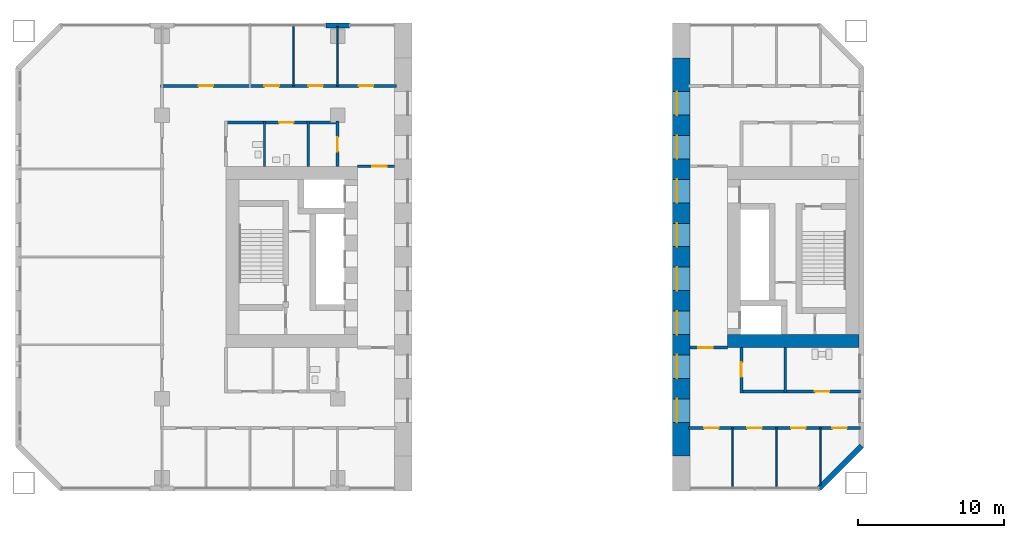
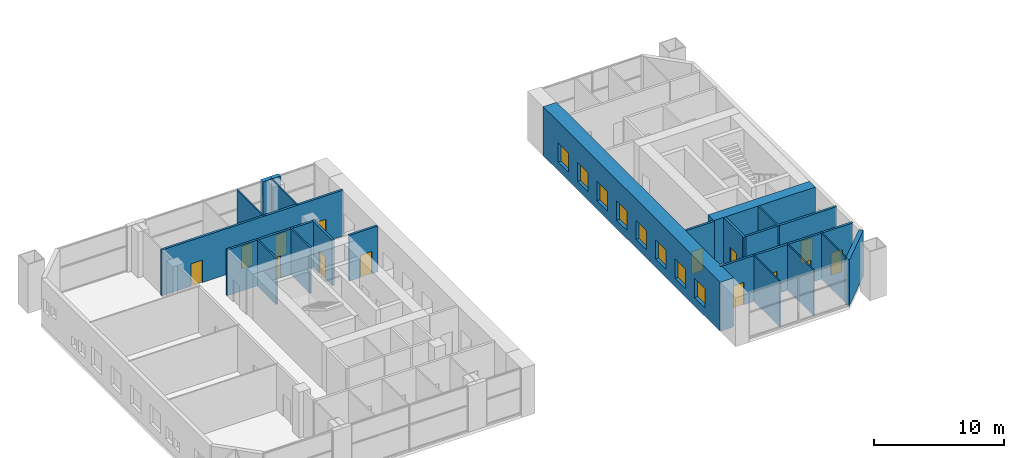
# One storey, part 12 of 21: 20 walls, 14 doors, 8 windows, 22 openings.
"""IFC4 building model written with IfcOpenShell, lengths in metres."""

import ifcopenshell
import ifcopenshell.guid

model = None  # the IFC model being written
_history = None  # IfcOwnerHistory: only IFC2X3 demands one
_inside = {}  # id of a spatial element -> (the spatial element, [elements in it])
_under = {}  # id of a project, library or spatial element -> (it, [spatial elements below it])
_declared = {}  # id of a project -> (the project, [libraries it declares])
_typed = {}  # id of a type object -> (the type object, [elements of that type])
_made_of = {}  # id of a material, layer set ... -> (it, [elements and type objects made of it])


def new_model(schema):
    """Start an empty IFC model of exactly this schema.

    Asked for "IFC4X3", IfcOpenShell would pick the latest addendum, in which some entities
    have other attributes; the version numbers below select the first issue.
    IFC2X3 requires an IfcOwnerHistory on every rooted entity: one is made here for all.
    """
    global model, _history
    if schema == "IFC4X3":
        model = ifcopenshell.file(schema_version=(4, 3, 0, 0))
    else:
        model = ifcopenshell.file(schema=schema)
    _inside.clear()
    _under.clear()
    _declared.clear()
    _typed.clear()
    _made_of.clear()
    _history = None
    if model.schema == "IFC2X3":
        org = make("IfcOrganization", Name="unknown")
        user = make(
            "IfcPersonAndOrganization",
            ThePerson=make("IfcPerson", FamilyName="unknown"),
            TheOrganization=org,
        )
        app = make(
            "IfcApplication",
            ApplicationDeveloper=org,
            Version="unknown",
            ApplicationFullName="unknown",
            ApplicationIdentifier="unknown",
        )
        _history = make(
            "IfcOwnerHistory",
            OwningUser=user,
            OwningApplication=app,
            ChangeAction="ADDED",
            CreationDate=0,
        )
    return model


def make(cls, **values):
    """One entity of the class cls with the attributes given. An attribute that is None is left unset."""
    return model.create_entity(
        cls, **{name: value for name, value in values.items() if value is not None}
    )


def rooted(cls, **values):
    """An entity with a GlobalId (a new one), such as an element, a storey or a relation."""
    return make(cls, GlobalId=ifcopenshell.guid.new(), OwnerHistory=_history, **values)


def si_unit(unit_type, name, prefix=None):
    """IfcSIUnit, for example si_unit("LENGTHUNIT", "METRE", prefix="MILLI")."""
    return make("IfcSIUnit", UnitType=unit_type, Prefix=prefix, Name=name)


def assignment(units):
    """IfcUnitAssignment: the units of a project."""
    return None if units is None else make("IfcUnitAssignment", Units=units)


def point(xyz):
    """IfcCartesianPoint."""
    return None if xyz is None else make("IfcCartesianPoint", Coordinates=xyz)


def direction(xyz):
    """IfcDirection."""
    return None if xyz is None else make("IfcDirection", DirectionRatios=xyz)


def frame(location, z_axis=None, x_axis=None):
    """IfcAxis2Placement3D, a coordinate frame: its origin and axes. An axis left out is left unset."""
    return make(
        "IfcAxis2Placement3D",
        Location=point(location),
        Axis=direction(z_axis),
        RefDirection=direction(x_axis),
    )


def frame_2d(location, x_axis=None):
    """IfcAxis2Placement2D, a coordinate frame in the plane: its origin and x axis."""
    return make(
        "IfcAxis2Placement2D", Location=point(location), RefDirection=direction(x_axis)
    )


def origin():
    """The frame at (0, 0, 0) with its axes left unset."""
    return frame((0.0, 0.0, 0.0))


def place(relative_to, where):
    """IfcLocalPlacement: puts the frame where relative to a parent placement (None: the world)."""
    return make(
        "IfcLocalPlacement", PlacementRelTo=relative_to, RelativePlacement=where
    )


def context(
    kind, dimensions, precision=None, world=None, true_north=None, identifier=None
):
    """IfcGeometricRepresentationContext, for example the 3D "Model" context."""
    return make(
        "IfcGeometricRepresentationContext",
        ContextIdentifier=identifier,
        ContextType=kind,
        CoordinateSpaceDimension=dimensions,
        Precision=precision,
        WorldCoordinateSystem=world,
        TrueNorth=true_north,
    )


def subcontext(parent, identifier, kind, view, scale=None):
    """IfcGeometricRepresentationSubContext, for example "Body" below "Model"."""
    return make(
        "IfcGeometricRepresentationSubContext",
        ContextIdentifier=identifier,
        ContextType=kind,
        ParentContext=parent,
        TargetScale=scale,
        TargetView=view,
    )


def project(units=None, contexts=None):
    """IfcProject with its units and contexts."""
    return rooted(
        "IfcProject",
        Name="project",
        RepresentationContexts=contexts,
        UnitsInContext=assignment(units),
    )


def spatial(cls, under=None, at=None, **own):
    """A site, building, storey or space (cls), placed at a placement, below another one or the project."""
    s = rooted(cls, ObjectPlacement=at, **own)
    if under is not None:
        _under.setdefault(under.id(), (under, []))[1].append(s)
    return s


def profile(cls, at=None, kind="AREA", **sizes):
    """A parametric profile (cls). Its sizes go by their IFC names, for example OverallWidth=200.0."""
    return make(cls, ProfileType=kind, Position=at, **sizes)


def rectangle(**sizes):
    """IfcRectangleProfileDef."""
    return profile("IfcRectangleProfileDef", **sizes)


def extrude(swept, where, along, depth):
    """IfcExtrudedAreaSolid: the profile swept, set in the frame where, extruded along a direction by depth."""
    return make(
        "IfcExtrudedAreaSolid",
        SweptArea=swept,
        Position=where,
        ExtrudedDirection=direction(along),
        Depth=depth,
    )


def shape(context_of_items, identifier, shape_type, items):
    """IfcShapeRepresentation: the items that make up one representation, for example the "Body"."""
    return make(
        "IfcShapeRepresentation",
        ContextOfItems=context_of_items,
        RepresentationIdentifier=identifier,
        RepresentationType=shape_type,
        Items=items,
    )


def material(Name=None, Category=None):
    """IfcMaterial."""
    return make("IfcMaterial", Name=Name, Category=Category)


def layer(
    of_material, thickness, ventilated=None, Name=None, Category=None, Priority=None
):
    """IfcMaterialLayer: one layer of a wall or slab, of a material (None: an air gap)."""
    return make(
        "IfcMaterialLayer",
        Material=of_material,
        LayerThickness=thickness,
        IsVentilated=ventilated,
        Name=Name,
        Category=Category,
        Priority=Priority,
    )


def layer_set(layers, Name=None):
    """IfcMaterialLayerSet."""
    return make("IfcMaterialLayerSet", MaterialLayers=layers, LayerSetName=Name)


def made_of(thing, what):
    """Note that an element or type object is made of a material, layer set ...; save() writes the relation."""
    if what is not None:
        _made_of.setdefault(what.id(), (what, []))[1].append(thing)
    return thing


def type_object(cls, material=None, **own):
    """A type object (cls), such as IfcWallType, which elements share."""
    return made_of(rooted(cls, **own), material)


def element(
    cls,
    number,
    at=None,
    inside=None,
    cuts=None,
    type_object=None,
    material=None,
    context=None,
    identifier="Body",
    shape_type=None,
    held_by="IfcProductDefinitionShape",
    body=None,
    shapes=None,
    **own,
):
    """One element of the class cls, such as IfcWall. Its Tag is "e" and its number.

    at: its placement. inside: the storey or other place that contains it. cuts: it is an
    opening in that element (IfcRelVoidsElement). A single representation is given by context,
    identifier, shape_type and body (its items); several are given by shapes. held_by: the class
    of the entity that holds the representations. save() writes the other relations.
    """
    e = rooted(cls, Tag="e%d" % number, ObjectPlacement=at, **own)
    if body is not None:
        shapes = [shape(context, identifier, shape_type, body)]
    if shapes is not None:
        e.Representation = make(held_by, Representations=shapes)
    if inside is not None:
        _inside.setdefault(inside.id(), (inside, []))[1].append(e)
    if cuts is not None:
        rooted(
            "IfcRelVoidsElement", RelatingBuildingElement=cuts, RelatedOpeningElement=e
        )
    if type_object is not None:
        _typed.setdefault(type_object.id(), (type_object, []))[1].append(e)
    return made_of(e, material)


def fill(opening, filler):
    """IfcRelFillsElement: the door or window that sits in an opening."""
    return rooted(
        "IfcRelFillsElement",
        RelatingOpeningElement=opening,
        RelatedBuildingElement=filler,
    )


def aggregate(whole, parts):
    """IfcRelAggregates: a whole, such as a stair, and the parts it consists of."""
    return rooted("IfcRelAggregates", RelatingObject=whole, RelatedObjects=parts)


def save(model, path):
    """Write the relations noted so far, then the file.

    IfcRelAggregates (storeys below a building ...), IfcRelContainedInSpatialStructure (elements
    in a storey), IfcRelDefinesByType, IfcRelAssociatesMaterial and IfcRelDeclares: one each for
    every whole, place, type object, material and project.
    """
    for whole, parts in _under.values():
        aggregate(whole, parts)
    for where, things in _inside.values():
        rooted(
            "IfcRelContainedInSpatialStructure",
            RelatedElements=things,
            RelatingStructure=where,
        )
    for kind, things in _typed.values():
        rooted("IfcRelDefinesByType", RelatedObjects=things, RelatingType=kind)
    for what, things in _made_of.values():
        rooted("IfcRelAssociatesMaterial", RelatedObjects=things, RelatingMaterial=what)
    for by, libraries in _declared.values():
        rooted("IfcRelDeclares", RelatingContext=by, RelatedDefinitions=libraries)
    model.write(path)


model = new_model("IFC4")

# Units and contexts
model_context = context("Model", 3, precision=1e-05, world=origin(), true_north=direction((0.0, 1.0)))
body_context = subcontext(model_context, "Body", "Model", "MODEL_VIEW")
ifc_project = project(units=[si_unit("LENGTHUNIT", "METRE"), si_unit("AREAUNIT", "SQUARE_METRE"), si_unit("VOLUMEUNIT", "CUBIC_METRE"), si_unit("PLANEANGLEUNIT", "RADIAN"), si_unit("MASSUNIT", "GRAM", prefix="KILO")], contexts=[model_context])

# Site, building, storey
site_placement = place(None, origin())
site = spatial("IfcSite", under=ifc_project, at=site_placement, CompositionType="ELEMENT")
building_placement = place(site_placement, origin())
building = spatial("IfcBuilding", under=site, at=building_placement, Name="Tuart Gate Housing", CompositionType="ELEMENT")
storey_placement = place(building_placement, frame((0.0, 0.0, 5.5)))
storey = spatial("IfcBuildingStorey", under=building, at=storey_placement, Name="L01", CompositionType="ELEMENT", Elevation=5.5)

# Walls
ifc_material_1 = material(Name="Gypsum board on steel studs", Category="steel")
ifc_layer_1 = layer(ifc_material_1, 0.14990234375)
ifc_layer_set_1 = layer_set([ifc_layer_1], Name="Bathroom wall 150")
wall_type_1 = type_object("IfcWallType", Name="Bathroom wall 150", PredefinedType="PLUMBINGWALL", material=ifc_layer_set_1)
for number, where, z_axis, x_axis, name in (
    (1, (35.0, 76.199951171875, 0.0), (0.0, 0.0, 1.0), (0.0, 1.0, 0.0), "Bathroom wall 150"),
    (2, (38.0, 76.199951171875, 0.0), (0.0, 0.0, 1.0), (0.0, 1.0, 0.0), "Bathroom wall 150"),
    (3, (70.60009765625, 60.699951171875, 0.0), (0.0, 0.0, 1.0), (0.0, 1.0, 0.0), "Bathroom wall 150"),
):
    element("IfcWall", number, at=place(storey_placement, frame(where, z_axis=z_axis, x_axis=x_axis)), inside=storey, type_object=wall_type_1, Name=name, PredefinedType="PLUMBINGWALL", context=body_context, shape_type="SweptSolid", body=[
        extrude(rectangle(XDim=3.10009765625, YDim=0.14990234375, at=frame_2d((1.550048828125, 0.0))), origin(), (0.0, 0.0, 1.0), 4.300048828125),
    ])
ifc_material_2 = material(Name="Brick", Category="masonry")
ifc_layer_2 = layer(ifc_material_2, 0.360107421875)
ifc_layer_set_2 = layer_set([ifc_layer_2], Name="Brick pier and spandrel wall 360")
wall_type_2 = type_object("IfcWallType", Name="Brick pier and spandrel wall 360", PredefinedType="STANDARD", material=ifc_layer_set_2)
wall_1_placement = place(storey_placement, frame((72.92529296875, 54.179931640625, 0.0), z_axis=(0.0, 0.0, 1.0), x_axis=(0.707106781187, 0.707106781187, 0.0)))
element("IfcWall", 4, at=wall_1_placement, inside=storey, type_object=wall_type_2, Name="External wall A-SE L01", PredefinedType="STANDARD", context=body_context, shape_type="SweptSolid", body=[
    extrude(rectangle(XDim=4.09375, YDim=0.360107421875, at=frame_2d((2.046875, 0.0))), origin(), (0.0, 0.0, 1.0), 4.300048828125),
])
wall_2_placement = place(storey_placement, frame((40.800048828125, 85.820068359375, 0.0), z_axis=(0.0, 0.0, 1.0), x_axis=(-1.0, 0.0, 0.0)))
element("IfcWall", 5, at=wall_2_placement, inside=storey, type_object=wall_type_2, Name="External wall A-N L01", PredefinedType="STANDARD", context=body_context, shape_type="SweptSolid", body=[
    extrude(rectangle(XDim=1.60009765625, YDim=0.360107421875, at=frame_2d((0.800048828125, 0.0))), origin(), (0.0, 0.0, 1.0), 4.300048828125),
])
ifc_material_3 = material(Name="Concrete C60", Category="concrete")
ifc_layer_3 = layer(ifc_material_3, 0.89990234375)
ifc_layer_set_3 = layer_set([ifc_layer_3], Name="Core wall 900 C60")
wall_type_3 = type_object("IfcWallType", Name="Core wall 900 C60", PredefinedType="SHEAR", material=ifc_layer_set_3)
wall_3_placement = place(storey_placement, frame((66.639892578125, 64.25, 0.0), z_axis=(0.0, 0.0, 1.0), x_axis=(1.0, 0.0, 0.0)))
element("IfcWall", 6, at=wall_3_placement, inside=storey, type_object=wall_type_3, Name="Core wall AG south", PredefinedType="SHEAR", context=body_context, shape_type="SweptSolid", body=[
    extrude(rectangle(XDim=9.0, YDim=0.89990234375, at=frame_2d((4.5, 0.0))), origin(), (0.0, 0.0, 1.0), 4.300048828125),
])

# Wall, openings, doors
ifc_material_4 = material(Name="Concrete masonry 15 MPa", Category="masonry")
ifc_layer_4 = layer(ifc_material_4, 0.199951171875)
ifc_layer_set_4 = layer_set([ifc_layer_4], Name="Corridor wall masonry 200")
wall_type_4 = type_object("IfcWallType", Name="Corridor wall masonry 200", PredefinedType="PARTITIONING", material=ifc_layer_set_4)
wall_4_placement = place(storey_placement, frame((63.97998046875, 58.300048828125, 0.0), z_axis=(0.0, 0.0, 1.0), x_axis=(1.0, 0.0, 0.0)))
wall_4 = element("IfcWall", 7, at=wall_4_placement, inside=storey, type_object=wall_type_4, Name="Corridor wall masonry 200", PredefinedType="PARTITIONING", context=body_context, shape_type="SweptSolid", body=[
    extrude(rectangle(XDim=11.780029296875, YDim=0.199951171875, at=frame_2d((5.89013671875, 0.0))), origin(), (0.0, 0.0, 1.0), 4.300048828125),
])
opening_1_placement = place(wall_4_placement, frame((1.070068359375, 0.0, 0.0)))
opening_1 = element("IfcOpeningElement", 8, at=opening_1_placement, cuts=wall_4, Name="Opening D3126", PredefinedType="OPENING", context=body_context, shape_type="SweptSolid", body=[
    extrude(rectangle(XDim=1.0, YDim=2.10009765625, at=frame_2d((0.5, 1.050048828125))), frame((0.0, 0.10986328125, 0.0), z_axis=(0.0, -1.0, 0.0), x_axis=(1.0, 0.0, 0.0)), (0.0, 0.0, 1.0), 0.219970703125),
])
opening_2_placement = place(wall_4_placement, frame((4.02001953125, 0.0, 0.0)))
opening_2 = element("IfcOpeningElement", 9, at=opening_2_placement, cuts=wall_4, Name="Opening D3127", PredefinedType="OPENING", context=body_context, shape_type="SweptSolid", body=[
    extrude(rectangle(XDim=1.0, YDim=2.10009765625, at=frame_2d((0.5, 1.050048828125))), frame((0.0, 0.10986328125, 0.0), z_axis=(0.0, -1.0, 0.0), x_axis=(1.0, 0.0, 0.0)), (0.0, 0.0, 1.0), 0.219970703125),
])
opening_3_placement = place(wall_4_placement, frame((7.02001953125, 0.0, 0.0)))
opening_3 = element("IfcOpeningElement", 10, at=opening_3_placement, cuts=wall_4, Name="Opening D3128", PredefinedType="OPENING", context=body_context, shape_type="SweptSolid", body=[
    extrude(rectangle(XDim=1.0, YDim=2.10009765625, at=frame_2d((0.5, 1.050048828125))), frame((0.0, 0.10986328125, 0.0), z_axis=(0.0, -1.0, 0.0), x_axis=(1.0, 0.0, 0.0)), (0.0, 0.0, 1.0), 0.219970703125),
])
opening_4_placement = place(wall_4_placement, frame((9.840087890625, 0.0, 0.0)))
opening_4 = element("IfcOpeningElement", 11, at=opening_4_placement, cuts=wall_4, Name="Opening D3129", PredefinedType="OPENING", context=body_context, shape_type="SweptSolid", body=[
    extrude(rectangle(XDim=1.0, YDim=2.10009765625, at=frame_2d((0.5, 1.050048828125))), frame((0.0, 0.10986328125, 0.0), z_axis=(0.0, -1.0, 0.0), x_axis=(1.0, 0.0, 0.0)), (0.0, 0.0, 1.0), 0.219970703125),
])
ifc_material_5 = material(Name="Timber door leaf in steel frame", Category="steel")
door_type_1 = type_object("IfcDoorType", Name="Fire door 1000 RH", OperationType="SINGLE_SWING_RIGHT", PredefinedType="DOOR", material=ifc_material_5)
door_1_placement = place(opening_1_placement, frame((1.0, 0.0, 0.0), z_axis=(0.0, 0.0, 1.0), x_axis=(-1.0, 0.0, 0.0)))
door_1 = element("IfcDoor", 12, at=door_1_placement, inside=storey, type_object=door_type_1, Name="Fire door 1000", OperationType="SINGLE_SWING_RIGHT", OverallHeight=2.10009765625, OverallWidth=1.0, PredefinedType="DOOR", context=body_context, shape_type="SweptSolid", body=[
    extrude(rectangle(XDim=1.0, YDim=2.10009765625, at=frame_2d((0.5, 1.050048828125))), frame((0.0, 0.025146484375, 0.0), z_axis=(0.0, -1.0, 0.0), x_axis=(1.0, 0.0, 0.0)), (0.0, 0.0, 1.0), 0.050048828125),
])
fill(opening_1, door_1)
door_2_placement = place(opening_2_placement, frame((1.0, 0.0, 0.0), z_axis=(0.0, 0.0, 1.0), x_axis=(-1.0, 0.0, 0.0)))
door_2 = element("IfcDoor", 13, at=door_2_placement, inside=storey, type_object=door_type_1, Name="Fire door 1000", OperationType="SINGLE_SWING_RIGHT", OverallHeight=2.10009765625, OverallWidth=1.0, PredefinedType="DOOR", context=body_context, shape_type="SweptSolid", body=[
    extrude(rectangle(XDim=1.0, YDim=2.10009765625, at=frame_2d((0.5, 1.050048828125))), frame((0.0, 0.025146484375, 0.0), z_axis=(0.0, -1.0, 0.0), x_axis=(1.0, 0.0, 0.0)), (0.0, 0.0, 1.0), 0.050048828125),
])
fill(opening_2, door_2)
door_3_placement = place(opening_3_placement, frame((1.0, 0.0, 0.0), z_axis=(0.0, 0.0, 1.0), x_axis=(-1.0, 0.0, 0.0)))
door_3 = element("IfcDoor", 14, at=door_3_placement, inside=storey, type_object=door_type_1, Name="Fire door 1000", OperationType="SINGLE_SWING_RIGHT", OverallHeight=2.10009765625, OverallWidth=1.0, PredefinedType="DOOR", context=body_context, shape_type="SweptSolid", body=[
    extrude(rectangle(XDim=1.0, YDim=2.10009765625, at=frame_2d((0.5, 1.050048828125))), frame((0.0, 0.025146484375, 0.0), z_axis=(0.0, -1.0, 0.0), x_axis=(1.0, 0.0, 0.0)), (0.0, 0.0, 1.0), 0.050048828125),
])
fill(opening_3, door_3)
door_4_placement = place(opening_4_placement, frame((1.0, 0.0, 0.0), z_axis=(0.0, 0.0, 1.0), x_axis=(-1.0, 0.0, 0.0)))
door_4 = element("IfcDoor", 15, at=door_4_placement, inside=storey, type_object=door_type_1, Name="Fire door 1000", OperationType="SINGLE_SWING_RIGHT", OverallHeight=2.10009765625, OverallWidth=1.0, PredefinedType="DOOR", context=body_context, shape_type="SweptSolid", body=[
    extrude(rectangle(XDim=1.0, YDim=2.10009765625, at=frame_2d((0.5, 1.050048828125))), frame((0.0, 0.025146484375, 0.0), z_axis=(0.0, -1.0, 0.0), x_axis=(1.0, 0.0, 0.0)), (0.0, 0.0, 1.0), 0.050048828125),
])
fill(opening_4, door_4)

# Wall, opening, door
wall_5_placement = place(storey_placement, frame((67.5, 60.800048828125, 0.0), z_axis=(0.0, 0.0, 1.0), x_axis=(1.0, 0.0, 0.0)))
wall_5 = element("IfcWall", 16, at=wall_5_placement, inside=storey, type_object=wall_type_4, Name="Corridor wall masonry 200", PredefinedType="PARTITIONING", context=body_context, shape_type="SweptSolid", body=[
    extrude(rectangle(XDim=8.260009765625, YDim=0.199951171875, at=frame_2d((4.1298828125, 0.0))), origin(), (0.0, 0.0, 1.0), 4.300048828125),
])
opening_5_placement = place(wall_5_placement, frame((5.1201171875, 0.0, 0.0)))
opening_5 = element("IfcOpeningElement", 17, at=opening_5_placement, cuts=wall_5, Name="Opening D3120", PredefinedType="OPENING", context=body_context, shape_type="SweptSolid", body=[
    extrude(rectangle(XDim=1.0, YDim=2.10009765625, at=frame_2d((0.5, 1.050048828125))), frame((0.0, 0.10986328125, 0.0), z_axis=(0.0, -1.0, 0.0), x_axis=(1.0, 0.0, 0.0)), (0.0, 0.0, 1.0), 0.219970703125),
])
ifc_material_6 = material(Name="Timber door leaf in steel frame", Category="steel")
door_type_2 = type_object("IfcDoorType", Name="Fire door 1000", OperationType="SINGLE_SWING_LEFT", PredefinedType="DOOR", material=ifc_material_6)
door_5_placement = place(opening_5_placement, origin())
door_5 = element("IfcDoor", 18, at=door_5_placement, inside=storey, type_object=door_type_2, Name="Fire door 1000", OperationType="SINGLE_SWING_LEFT", OverallHeight=2.10009765625, OverallWidth=1.0, PredefinedType="DOOR", context=body_context, shape_type="SweptSolid", body=[
    extrude(rectangle(XDim=1.0, YDim=2.10009765625, at=frame_2d((0.5, 1.050048828125))), frame((0.0, 0.02490234375, 0.0), z_axis=(0.0, -1.0, 0.0), x_axis=(1.0, 0.0, 0.0)), (0.0, 0.0, 1.0), 0.050048828125),
])
fill(opening_5, door_5)

wall_6_placement = place(storey_placement, frame((32.260009765625, 79.199951171875, 0.0), z_axis=(0.0, 0.0, 1.0), x_axis=(1.0, 0.0, 0.0)))
wall_6 = element("IfcWall", 19, at=wall_6_placement, inside=storey, type_object=wall_type_4, Name="Corridor wall masonry 200", PredefinedType="PARTITIONING", context=body_context, shape_type="SweptSolid", body=[
    extrude(rectangle(XDim=7.840087890625, YDim=0.199951171875, at=frame_2d((3.919921875, 0.0))), origin(), (0.0, 0.0, 1.0), 4.300048828125),
])
opening_6_placement = place(wall_6_placement, frame((3.739990234375, 0.0, 0.0)))
opening_6 = element("IfcOpeningElement", 20, at=opening_6_placement, cuts=wall_6, Name="Opening D3095", PredefinedType="OPENING", context=body_context, shape_type="SweptSolid", body=[
    extrude(rectangle(XDim=1.0, YDim=2.10009765625, at=frame_2d((0.5, 1.050048828125))), frame((0.0, 0.10986328125, 0.0), z_axis=(0.0, -1.0, 0.0), x_axis=(1.0, 0.0, 0.0)), (0.0, 0.0, 1.0), 0.219970703125),
])
door_6_placement = place(opening_6_placement, frame((1.0, 0.0, 0.0), z_axis=(0.0, 0.0, 1.0), x_axis=(-1.0, 0.0, 0.0)))
door_6 = element("IfcDoor", 21, at=door_6_placement, inside=storey, type_object=door_type_1, Name="Fire door 1000", OperationType="SINGLE_SWING_RIGHT", OverallHeight=2.10009765625, OverallWidth=1.0, PredefinedType="DOOR", context=body_context, shape_type="SweptSolid", body=[
    extrude(rectangle(XDim=1.0, YDim=2.10009765625, at=frame_2d((0.5, 1.050048828125))), frame((0.0, 0.025146484375, 0.0), z_axis=(0.0, -1.0, 0.0), x_axis=(1.0, 0.0, 0.0)), (0.0, 0.0, 1.0), 0.050048828125),
])
fill(opening_6, door_6)

# Wall, openings, doors
wall_7_placement = place(storey_placement, frame((27.89990234375, 81.699951171875, 0.0), z_axis=(0.0, 0.0, 1.0), x_axis=(1.0, 0.0, 0.0)))
wall_7 = element("IfcWall", 22, at=wall_7_placement, inside=storey, type_object=wall_type_4, Name="Corridor wall masonry 200", PredefinedType="PARTITIONING", context=body_context, shape_type="SweptSolid", body=[
    extrude(rectangle(XDim=16.1201171875, YDim=0.199951171875, at=frame_2d((8.06005859375, 0.0))), origin(), (0.0, 0.0, 1.0), 4.300048828125),
])
opening_7_placement = place(wall_7_placement, frame((2.60009765625, 0.0, 0.0)))
opening_7 = element("IfcOpeningElement", 23, at=opening_7_placement, cuts=wall_7, Name="Opening D3087", PredefinedType="OPENING", context=body_context, shape_type="SweptSolid", body=[
    extrude(rectangle(XDim=1.0, YDim=2.10009765625, at=frame_2d((0.5, 1.050048828125))), frame((0.0, 0.10986328125, 0.0), z_axis=(0.0, -1.0, 0.0), x_axis=(1.0, 0.0, 0.0)), (0.0, 0.0, 1.0), 0.219970703125),
])
opening_8_placement = place(wall_7_placement, frame((7.10009765625, 0.0, 0.0)))
opening_8 = element("IfcOpeningElement", 24, at=opening_8_placement, cuts=wall_7, Name="Opening D3088", PredefinedType="OPENING", context=body_context, shape_type="SweptSolid", body=[
    extrude(rectangle(XDim=1.0, YDim=2.10009765625, at=frame_2d((0.5, 1.050048828125))), frame((0.0, 0.10986328125, 0.0), z_axis=(0.0, -1.0, 0.0), x_axis=(1.0, 0.0, 0.0)), (0.0, 0.0, 1.0), 0.219970703125),
])
opening_9_placement = place(wall_7_placement, frame((10.10009765625, 0.0, 0.0)))
opening_9 = element("IfcOpeningElement", 25, at=opening_9_placement, cuts=wall_7, Name="Opening D3089", PredefinedType="OPENING", context=body_context, shape_type="SweptSolid", body=[
    extrude(rectangle(XDim=1.0, YDim=2.10009765625, at=frame_2d((0.5, 1.050048828125))), frame((0.0, 0.10986328125, 0.0), z_axis=(0.0, -1.0, 0.0), x_axis=(1.0, 0.0, 0.0)), (0.0, 0.0, 1.0), 0.219970703125),
])
opening_10_placement = place(wall_7_placement, frame((13.550048828125, 0.0, 0.0)))
opening_10 = element("IfcOpeningElement", 26, at=opening_10_placement, cuts=wall_7, Name="Opening D3090", PredefinedType="OPENING", context=body_context, shape_type="SweptSolid", body=[
    extrude(rectangle(XDim=1.0, YDim=2.10009765625, at=frame_2d((0.5, 1.050048828125))), frame((0.0, 0.10986328125, 0.0), z_axis=(0.0, -1.0, 0.0), x_axis=(1.0, 0.0, 0.0)), (0.0, 0.0, 1.0), 0.219970703125),
])
door_7_placement = place(opening_7_placement, origin())
door_7 = element("IfcDoor", 27, at=door_7_placement, inside=storey, type_object=door_type_2, Name="Fire door 1000", OperationType="SINGLE_SWING_LEFT", OverallHeight=2.10009765625, OverallWidth=1.0, PredefinedType="DOOR", context=body_context, shape_type="SweptSolid", body=[
    extrude(rectangle(XDim=1.0, YDim=2.10009765625, at=frame_2d((0.5, 1.050048828125))), frame((0.0, 0.02490234375, 0.0), z_axis=(0.0, -1.0, 0.0), x_axis=(1.0, 0.0, 0.0)), (0.0, 0.0, 1.0), 0.050048828125),
])
fill(opening_7, door_7)
door_8_placement = place(opening_8_placement, origin())
door_8 = element("IfcDoor", 28, at=door_8_placement, inside=storey, type_object=door_type_2, Name="Fire door 1000", OperationType="SINGLE_SWING_LEFT", OverallHeight=2.10009765625, OverallWidth=1.0, PredefinedType="DOOR", context=body_context, shape_type="SweptSolid", body=[
    extrude(rectangle(XDim=1.0, YDim=2.10009765625, at=frame_2d((0.5, 1.050048828125))), frame((0.0, 0.02490234375, 0.0), z_axis=(0.0, -1.0, 0.0), x_axis=(1.0, 0.0, 0.0)), (0.0, 0.0, 1.0), 0.050048828125),
])
fill(opening_8, door_8)
door_9_placement = place(opening_9_placement, origin())
door_9 = element("IfcDoor", 29, at=door_9_placement, inside=storey, type_object=door_type_2, Name="Fire door 1000", OperationType="SINGLE_SWING_LEFT", OverallHeight=2.10009765625, OverallWidth=1.0, PredefinedType="DOOR", context=body_context, shape_type="SweptSolid", body=[
    extrude(rectangle(XDim=1.0, YDim=2.10009765625, at=frame_2d((0.5, 1.050048828125))), frame((0.0, 0.02490234375, 0.0), z_axis=(0.0, -1.0, 0.0), x_axis=(1.0, 0.0, 0.0)), (0.0, 0.0, 1.0), 0.050048828125),
])
fill(opening_9, door_9)
door_10_placement = place(opening_10_placement, origin())
door_10 = element("IfcDoor", 30, at=door_10_placement, inside=storey, type_object=door_type_2, Name="Fire door 1000", OperationType="SINGLE_SWING_LEFT", OverallHeight=2.10009765625, OverallWidth=1.0, PredefinedType="DOOR", context=body_context, shape_type="SweptSolid", body=[
    extrude(rectangle(XDim=1.0, YDim=2.10009765625, at=frame_2d((0.5, 1.050048828125))), frame((0.0, 0.02490234375, 0.0), z_axis=(0.0, -1.0, 0.0), x_axis=(1.0, 0.0, 0.0)), (0.0, 0.0, 1.0), 0.050048828125),
])
fill(opening_10, door_10)

# Wall, opening, door
wall_8_placement = place(storey_placement, frame((40.0, 76.199951171875, 0.0), z_axis=(0.0, 0.0, 1.0), x_axis=(0.0, 1.0, 0.0)))
wall_8 = element("IfcWall", 31, at=wall_8_placement, inside=storey, type_object=wall_type_4, Name="Corridor wall masonry 200", PredefinedType="PARTITIONING", context=body_context, shape_type="SweptSolid", body=[
    extrude(rectangle(XDim=3.10009765625, YDim=0.199951171875, at=frame_2d((1.550048828125, 0.0))), origin(), (0.0, 0.0, 1.0), 4.300048828125),
])
opening_11_placement = place(wall_8_placement, frame((1.0, 0.0, 0.0)))
opening_11 = element("IfcOpeningElement", 32, at=opening_11_placement, cuts=wall_8, Name="Opening D3099", PredefinedType="OPENING", context=body_context, shape_type="SweptSolid", body=[
    extrude(rectangle(XDim=1.0, YDim=2.10009765625, at=frame_2d((0.5, 1.050048828125))), frame((0.0, 0.10986328125, 0.0), z_axis=(0.0, -1.0, 0.0), x_axis=(1.0, 0.0, 0.0)), (0.0, 0.0, 1.0), 0.219970703125),
])
door_11_placement = place(opening_11_placement, origin())
door_11 = element("IfcDoor", 33, at=door_11_placement, inside=storey, type_object=door_type_2, Name="Fire door 1000", OperationType="SINGLE_SWING_LEFT", OverallHeight=2.10009765625, OverallWidth=1.0, PredefinedType="DOOR", context=body_context, shape_type="SweptSolid", body=[
    extrude(rectangle(XDim=1.0, YDim=2.10009765625, at=frame_2d((0.5, 1.050048828125))), frame((0.0, 0.02490234375, 0.0), z_axis=(0.0, -1.0, 0.0), x_axis=(1.0, 0.0, 0.0)), (0.0, 0.0, 1.0), 0.050048828125),
])
fill(opening_11, door_11)

wall_9_placement = place(storey_placement, frame((67.60009765625, 60.699951171875, 0.0), z_axis=(0.0, 0.0, 1.0), x_axis=(0.0, 1.0, 0.0)))
wall_9 = element("IfcWall", 34, at=wall_9_placement, inside=storey, type_object=wall_type_4, Name="Corridor wall masonry 200", PredefinedType="PARTITIONING", context=body_context, shape_type="SweptSolid", body=[
    extrude(rectangle(XDim=3.10009765625, YDim=0.199951171875, at=frame_2d((1.550048828125, 0.0))), origin(), (0.0, 0.0, 1.0), 4.300048828125),
])
opening_12_placement = place(wall_9_placement, frame((1.10009765625, 0.0, 0.0)))
opening_12 = element("IfcOpeningElement", 35, at=opening_12_placement, cuts=wall_9, Name="Opening D3117", PredefinedType="OPENING", context=body_context, shape_type="SweptSolid", body=[
    extrude(rectangle(XDim=1.0, YDim=2.10009765625, at=frame_2d((0.5, 1.050048828125))), frame((0.0, 0.10986328125, 0.0), z_axis=(0.0, -1.0, 0.0), x_axis=(1.0, 0.0, 0.0)), (0.0, 0.0, 1.0), 0.219970703125),
])
door_12_placement = place(opening_12_placement, frame((1.0, 0.0, 0.0), z_axis=(0.0, 0.0, 1.0), x_axis=(-1.0, 0.0, 0.0)))
door_12 = element("IfcDoor", 36, at=door_12_placement, inside=storey, type_object=door_type_1, Name="Fire door 1000", OperationType="SINGLE_SWING_RIGHT", OverallHeight=2.10009765625, OverallWidth=1.0, PredefinedType="DOOR", context=body_context, shape_type="SweptSolid", body=[
    extrude(rectangle(XDim=1.0, YDim=2.10009765625, at=frame_2d((0.5, 1.050048828125))), frame((0.0, 0.025146484375, 0.0), z_axis=(0.0, -1.0, 0.0), x_axis=(1.0, 0.0, 0.0)), (0.0, 0.0, 1.0), 0.050048828125),
])
fill(opening_12, door_12)

ifc_material_7 = material(Name="Concrete masonry 15 MPa", Category="masonry")
ifc_layer_5 = layer(ifc_material_7, 0.199951171875)
ifc_layer_set_5 = layer_set([ifc_layer_5], Name="Enclosure wall masonry 200")
wall_type_5 = type_object("IfcWallType", Name="Enclosure wall masonry 200", PredefinedType="PARTITIONING", material=ifc_layer_set_5)
wall_10_placement = place(storey_placement, frame((64.10009765625, 63.800048828125, 0.0), z_axis=(0.0, 0.0, 1.0), x_axis=(1.0, 0.0, 0.0)))
wall_10 = element("IfcWall", 37, at=wall_10_placement, inside=storey, type_object=wall_type_5, Name="Enclosure wall masonry 200", PredefinedType="PARTITIONING", context=body_context, shape_type="SweptSolid", body=[
    extrude(rectangle(XDim=2.539794921875, YDim=0.199951171875, at=frame_2d((1.27001953125, 0.0))), origin(), (0.0, 0.0, 1.0), 4.300048828125),
])
opening_13_placement = place(wall_10_placement, frame((0.5400390625, 0.0, 0.0)))
opening_13 = element("IfcOpeningElement", 38, at=opening_13_placement, cuts=wall_10, Name="Opening D3115", PredefinedType="OPENING", context=body_context, shape_type="SweptSolid", body=[
    extrude(rectangle(XDim=1.0, YDim=2.10009765625, at=frame_2d((0.5, 1.050048828125))), frame((0.0, 0.10986328125, 0.0), z_axis=(0.0, -1.0, 0.0), x_axis=(1.0, 0.0, 0.0)), (0.0, 0.0, 1.0), 0.219970703125),
])
ifc_material_8 = material(Name="Timber door leaf in steel frame", Category="steel")
door_type_3 = type_object("IfcDoorType", Name="Lobby door 1000", OperationType="SINGLE_SWING_LEFT", PredefinedType="DOOR", material=ifc_material_8)
door_13_placement = place(opening_13_placement, origin())
door_13 = element("IfcDoor", 39, at=door_13_placement, inside=storey, type_object=door_type_3, Name="Lobby door 1000", OperationType="SINGLE_SWING_LEFT", OverallHeight=2.10009765625, OverallWidth=1.0, PredefinedType="DOOR", context=body_context, shape_type="SweptSolid", body=[
    extrude(rectangle(XDim=1.0, YDim=2.10009765625, at=frame_2d((0.5, 1.050048828125))), frame((0.0, 0.02490234375, 0.0), z_axis=(0.0, -1.0, 0.0), x_axis=(1.0, 0.0, 0.0)), (0.0, 0.0, 1.0), 0.050048828125),
])
fill(opening_13, door_13)

wall_11_placement = place(storey_placement, frame((41.360107421875, 76.199951171875, 0.0), z_axis=(0.0, 0.0, 1.0), x_axis=(1.0, 0.0, 0.0)))
wall_11 = element("IfcWall", 40, at=wall_11_placement, inside=storey, type_object=wall_type_5, Name="Enclosure wall masonry 200", PredefinedType="PARTITIONING", context=body_context, shape_type="SweptSolid", body=[
    extrude(rectangle(XDim=2.539794921875, YDim=0.199951171875, at=frame_2d((1.27001953125, 0.0))), origin(), (0.0, 0.0, 1.0), 4.300048828125),
])
opening_14_placement = place(wall_11_placement, frame((1.0, 0.0, 0.0)))
opening_14 = element("IfcOpeningElement", 41, at=opening_14_placement, cuts=wall_11, Name="Opening D3100", PredefinedType="OPENING", context=body_context, shape_type="SweptSolid", body=[
    extrude(rectangle(XDim=1.0, YDim=2.10009765625, at=frame_2d((0.5, 1.050048828125))), frame((0.0, 0.10986328125, 0.0), z_axis=(0.0, -1.0, 0.0), x_axis=(1.0, 0.0, 0.0)), (0.0, 0.0, 1.0), 0.219970703125),
])
ifc_material_9 = material(Name="Timber door leaf in steel frame", Category="steel")
door_type_4 = type_object("IfcDoorType", Name="Lobby door 1000 RH", OperationType="SINGLE_SWING_RIGHT", PredefinedType="DOOR", material=ifc_material_9)
door_14_placement = place(opening_14_placement, origin())
door_14 = element("IfcDoor", 42, at=door_14_placement, inside=storey, type_object=door_type_4, Name="Lobby door 1000", OperationType="SINGLE_SWING_RIGHT", OverallHeight=2.10009765625, OverallWidth=1.0, PredefinedType="DOOR", context=body_context, shape_type="SweptSolid", body=[
    extrude(rectangle(XDim=1.0, YDim=2.10009765625, at=frame_2d((0.5, 1.050048828125))), frame((0.0, 0.02490234375, 0.0), z_axis=(0.0, -1.0, 0.0), x_axis=(1.0, 0.0, 0.0)), (0.0, 0.0, 1.0), 0.050048828125),
])
fill(opening_14, door_14)

# Walls
ifc_material_10 = material(Name="Gypsum board on steel studs", Category="steel")
ifc_layer_6 = layer(ifc_material_10, 0.10009765625)
ifc_layer_set_6 = layer_set([ifc_layer_6], Name="Partition 100")
wall_type_6 = type_object("IfcWallType", Name="Partition 100", PredefinedType="PARTITIONING", material=ifc_layer_set_6)
for number, where, z_axis, x_axis, name in (
    (43, (37.0, 81.60009765625, 0.0), (0.0, 0.0, 1.0), (0.0, 1.0, 0.0), "Partition 100"),
    (44, (40.0, 81.60009765625, 0.0), (0.0, 0.0, 1.0), (0.0, 1.0, 0.0), "Partition 100"),
    (45, (67.0, 54.239990234375, 0.0), (0.0, 0.0, 1.0), (0.0, 1.0, 0.0), "Partition 100"),
    (46, (70.0, 54.239990234375, 0.0), (0.0, 0.0, 1.0), (0.0, 1.0, 0.0), "Partition 100"),
):
    element("IfcWall", number, at=place(storey_placement, frame(where, z_axis=z_axis, x_axis=x_axis)), inside=storey, type_object=wall_type_6, Name=name, PredefinedType="PARTITIONING", context=body_context, shape_type="SweptSolid", body=[
        extrude(rectangle(XDim=4.159912109375, YDim=0.10009765625, at=frame_2d((2.080078125, 0.0))), origin(), (0.0, 0.0, 1.0), 4.300048828125),
    ])
wall_12_placement = place(storey_placement, frame((73.0, 54.388916015625, 0.0), z_axis=(0.0, 0.0, 1.0), x_axis=(0.0, 1.0, 0.0)))
element("IfcWall", 47, at=wall_12_placement, inside=storey, type_object=wall_type_6, Name="Partition 100", PredefinedType="PARTITIONING", context=body_context, shape_type="SweptSolid", body=[
    extrude(rectangle(XDim=4.010986328125, YDim=0.10009765625, at=frame_2d((2.00537109375, 0.0))), origin(), (0.0, 0.0, 1.0), 4.300048828125),
])

# Wall, openings, windows
ifc_material_11 = material(Name="Concrete C60", Category="concrete")
ifc_layer_7 = layer(ifc_material_11, 1.199951171875)
ifc_layer_set_7 = layer_set([ifc_layer_7], Name="RC wall 1200 C60")
wall_type_7 = type_object("IfcWallType", Name="RC wall 1200 C60", PredefinedType="SHEAR", material=ifc_layer_set_7)
wall_13_placement = place(storey_placement, frame((63.5, 56.39990234375, -0.300048828125), z_axis=(0.0, 0.0, 1.0), x_axis=(0.0, 1.0, 0.0)))
wall_13 = element("IfcWall", 48, at=wall_13_placement, inside=storey, type_object=wall_type_7, Name="Pier wall AE L01", PredefinedType="SHEAR", context=body_context, shape_type="SweptSolid", body=[
    extrude(rectangle(XDim=27.2001953125, YDim=1.199951171875, at=frame_2d((13.60009765625, 0.0))), origin(), (0.0, 0.0, 1.0), 4.60009765625),
])
opening_15_placement = place(wall_13_placement, frame((2.300048828125, 0.0, 0.800048828125)))
opening_15 = element("IfcOpeningElement", 49, at=opening_15_placement, cuts=wall_13, Name="Opening W1", PredefinedType="OPENING", context=body_context, shape_type="SweptSolid", body=[
    extrude(rectangle(XDim=1.60009765625, YDim=1.800048828125, at=frame_2d((0.800048828125, 0.89990234375))), frame((0.0, 0.60986328125, 0.0), z_axis=(0.0, -1.0, 0.0), x_axis=(1.0, 0.0, 0.0)), (0.0, 0.0, 1.0), 1.219970703125),
])
opening_16_placement = place(wall_13_placement, frame((5.300048828125, 0.0, 0.800048828125)))
opening_16 = element("IfcOpeningElement", 50, at=opening_16_placement, cuts=wall_13, Name="Opening W1", PredefinedType="OPENING", context=body_context, shape_type="SweptSolid", body=[
    extrude(rectangle(XDim=1.60009765625, YDim=1.800048828125, at=frame_2d((0.800048828125, 0.89990234375))), frame((0.0, 0.60986328125, 0.0), z_axis=(0.0, -1.0, 0.0), x_axis=(1.0, 0.0, 0.0)), (0.0, 0.0, 1.0), 1.219970703125),
])
opening_17_placement = place(wall_13_placement, frame((8.300048828125, 0.0, 0.800048828125)))
opening_17 = element("IfcOpeningElement", 51, at=opening_17_placement, cuts=wall_13, Name="Opening W1", PredefinedType="OPENING", context=body_context, shape_type="SweptSolid", body=[
    extrude(rectangle(XDim=1.60009765625, YDim=1.800048828125, at=frame_2d((0.800048828125, 0.89990234375))), frame((0.0, 0.60986328125, 0.0), z_axis=(0.0, -1.0, 0.0), x_axis=(1.0, 0.0, 0.0)), (0.0, 0.0, 1.0), 1.219970703125),
])
opening_18_placement = place(wall_13_placement, frame((11.300048828125, 0.0, 0.800048828125)))
opening_18 = element("IfcOpeningElement", 52, at=opening_18_placement, cuts=wall_13, Name="Opening W1", PredefinedType="OPENING", context=body_context, shape_type="SweptSolid", body=[
    extrude(rectangle(XDim=1.60009765625, YDim=1.800048828125, at=frame_2d((0.800048828125, 0.89990234375))), frame((0.0, 0.60986328125, 0.0), z_axis=(0.0, -1.0, 0.0), x_axis=(1.0, 0.0, 0.0)), (0.0, 0.0, 1.0), 1.219970703125),
])
opening_19_placement = place(wall_13_placement, frame((14.300048828125, 0.0, 0.800048828125)))
opening_19 = element("IfcOpeningElement", 53, at=opening_19_placement, cuts=wall_13, Name="Opening W1", PredefinedType="OPENING", context=body_context, shape_type="SweptSolid", body=[
    extrude(rectangle(XDim=1.60009765625, YDim=1.800048828125, at=frame_2d((0.800048828125, 0.89990234375))), frame((0.0, 0.60986328125, 0.0), z_axis=(0.0, -1.0, 0.0), x_axis=(1.0, 0.0, 0.0)), (0.0, 0.0, 1.0), 1.219970703125),
])
opening_20_placement = place(wall_13_placement, frame((17.300048828125, 0.0, 0.800048828125)))
opening_20 = element("IfcOpeningElement", 54, at=opening_20_placement, cuts=wall_13, Name="Opening W1", PredefinedType="OPENING", context=body_context, shape_type="SweptSolid", body=[
    extrude(rectangle(XDim=1.60009765625, YDim=1.800048828125, at=frame_2d((0.800048828125, 0.89990234375))), frame((0.0, 0.60986328125, 0.0), z_axis=(0.0, -1.0, 0.0), x_axis=(1.0, 0.0, 0.0)), (0.0, 0.0, 1.0), 1.219970703125),
])
opening_21_placement = place(wall_13_placement, frame((20.300048828125, 0.0, 0.800048828125)))
opening_21 = element("IfcOpeningElement", 55, at=opening_21_placement, cuts=wall_13, Name="Opening W1", PredefinedType="OPENING", context=body_context, shape_type="SweptSolid", body=[
    extrude(rectangle(XDim=1.60009765625, YDim=1.800048828125, at=frame_2d((0.800048828125, 0.89990234375))), frame((0.0, 0.60986328125, 0.0), z_axis=(0.0, -1.0, 0.0), x_axis=(1.0, 0.0, 0.0)), (0.0, 0.0, 1.0), 1.219970703125),
])
opening_22_placement = place(wall_13_placement, frame((23.300048828125, 0.0, 0.800048828125)))
opening_22 = element("IfcOpeningElement", 56, at=opening_22_placement, cuts=wall_13, Name="Opening W1", PredefinedType="OPENING", context=body_context, shape_type="SweptSolid", body=[
    extrude(rectangle(XDim=1.60009765625, YDim=1.800048828125, at=frame_2d((0.800048828125, 0.89990234375))), frame((0.0, 0.60986328125, 0.0), z_axis=(0.0, -1.0, 0.0), x_axis=(1.0, 0.0, 0.0)), (0.0, 0.0, 1.0), 1.219970703125),
])
ifc_material_12 = material(Name="Aluminium frame with clear glass", Category="aluminium")
window_type = type_object("IfcWindowType", Name="Punched window 1600 x 1800", PartitioningType="SINGLE_PANEL", PredefinedType="WINDOW", material=ifc_material_12)
window_1_placement = place(opening_15_placement, origin())
window_1 = element("IfcWindow", 57, at=window_1_placement, inside=storey, type_object=window_type, Name="Window W1", OverallHeight=1.800048828125, OverallWidth=1.60009765625, PartitioningType="SINGLE_PANEL", PredefinedType="WINDOW", context=body_context, shape_type="SweptSolid", body=[
    extrude(rectangle(XDim=1.60009765625, YDim=1.800048828125, at=frame_2d((0.800048828125, 0.89990234375))), frame((0.0, 0.330078125, 0.0), z_axis=(0.0, -1.0, 0.0), x_axis=(1.0, 0.0, 0.0)), (0.0, 0.0, 1.0), 0.06005859375),
])
fill(opening_15, window_1)
window_2_placement = place(opening_16_placement, origin())
window_2 = element("IfcWindow", 58, at=window_2_placement, inside=storey, type_object=window_type, Name="Window W1", OverallHeight=1.800048828125, OverallWidth=1.60009765625, PartitioningType="SINGLE_PANEL", PredefinedType="WINDOW", context=body_context, shape_type="SweptSolid", body=[
    extrude(rectangle(XDim=1.60009765625, YDim=1.800048828125, at=frame_2d((0.800048828125, 0.89990234375))), frame((0.0, 0.330078125, 0.0), z_axis=(0.0, -1.0, 0.0), x_axis=(1.0, 0.0, 0.0)), (0.0, 0.0, 1.0), 0.06005859375),
])
fill(opening_16, window_2)
window_3_placement = place(opening_17_placement, origin())
window_3 = element("IfcWindow", 59, at=window_3_placement, inside=storey, type_object=window_type, Name="Window W1", OverallHeight=1.800048828125, OverallWidth=1.60009765625, PartitioningType="SINGLE_PANEL", PredefinedType="WINDOW", context=body_context, shape_type="SweptSolid", body=[
    extrude(rectangle(XDim=1.60009765625, YDim=1.800048828125, at=frame_2d((0.800048828125, 0.89990234375))), frame((0.0, 0.330078125, 0.0), z_axis=(0.0, -1.0, 0.0), x_axis=(1.0, 0.0, 0.0)), (0.0, 0.0, 1.0), 0.06005859375),
])
fill(opening_17, window_3)
window_4_placement = place(opening_18_placement, origin())
window_4 = element("IfcWindow", 60, at=window_4_placement, inside=storey, type_object=window_type, Name="Window W1", OverallHeight=1.800048828125, OverallWidth=1.60009765625, PartitioningType="SINGLE_PANEL", PredefinedType="WINDOW", context=body_context, shape_type="SweptSolid", body=[
    extrude(rectangle(XDim=1.60009765625, YDim=1.800048828125, at=frame_2d((0.800048828125, 0.89990234375))), frame((0.0, 0.330078125, 0.0), z_axis=(0.0, -1.0, 0.0), x_axis=(1.0, 0.0, 0.0)), (0.0, 0.0, 1.0), 0.06005859375),
])
fill(opening_18, window_4)
window_5_placement = place(opening_19_placement, origin())
window_5 = element("IfcWindow", 61, at=window_5_placement, inside=storey, type_object=window_type, Name="Window W1", OverallHeight=1.800048828125, OverallWidth=1.60009765625, PartitioningType="SINGLE_PANEL", PredefinedType="WINDOW", context=body_context, shape_type="SweptSolid", body=[
    extrude(rectangle(XDim=1.60009765625, YDim=1.800048828125, at=frame_2d((0.800048828125, 0.89990234375))), frame((0.0, 0.330078125, 0.0), z_axis=(0.0, -1.0, 0.0), x_axis=(1.0, 0.0, 0.0)), (0.0, 0.0, 1.0), 0.06005859375),
])
fill(opening_19, window_5)
window_6_placement = place(opening_20_placement, origin())
window_6 = element("IfcWindow", 62, at=window_6_placement, inside=storey, type_object=window_type, Name="Window W1", OverallHeight=1.800048828125, OverallWidth=1.60009765625, PartitioningType="SINGLE_PANEL", PredefinedType="WINDOW", context=body_context, shape_type="SweptSolid", body=[
    extrude(rectangle(XDim=1.60009765625, YDim=1.800048828125, at=frame_2d((0.800048828125, 0.89990234375))), frame((0.0, 0.330078125, 0.0), z_axis=(0.0, -1.0, 0.0), x_axis=(1.0, 0.0, 0.0)), (0.0, 0.0, 1.0), 0.06005859375),
])
fill(opening_20, window_6)
window_7_placement = place(opening_21_placement, origin())
window_7 = element("IfcWindow", 63, at=window_7_placement, inside=storey, type_object=window_type, Name="Window W1", OverallHeight=1.800048828125, OverallWidth=1.60009765625, PartitioningType="SINGLE_PANEL", PredefinedType="WINDOW", context=body_context, shape_type="SweptSolid", body=[
    extrude(rectangle(XDim=1.60009765625, YDim=1.800048828125, at=frame_2d((0.800048828125, 0.89990234375))), frame((0.0, 0.330078125, 0.0), z_axis=(0.0, -1.0, 0.0), x_axis=(1.0, 0.0, 0.0)), (0.0, 0.0, 1.0), 0.06005859375),
])
fill(opening_21, window_7)
window_8_placement = place(opening_22_placement, origin())
window_8 = element("IfcWindow", 64, at=window_8_placement, inside=storey, type_object=window_type, Name="Window W1", OverallHeight=1.800048828125, OverallWidth=1.60009765625, PartitioningType="SINGLE_PANEL", PredefinedType="WINDOW", context=body_context, shape_type="SweptSolid", body=[
    extrude(rectangle(XDim=1.60009765625, YDim=1.800048828125, at=frame_2d((0.800048828125, 0.89990234375))), frame((0.0, 0.330078125, 0.0), z_axis=(0.0, -1.0, 0.0), x_axis=(1.0, 0.0, 0.0)), (0.0, 0.0, 1.0), 0.06005859375),
])
fill(opening_22, window_8)

save(model, "model.ifc")
